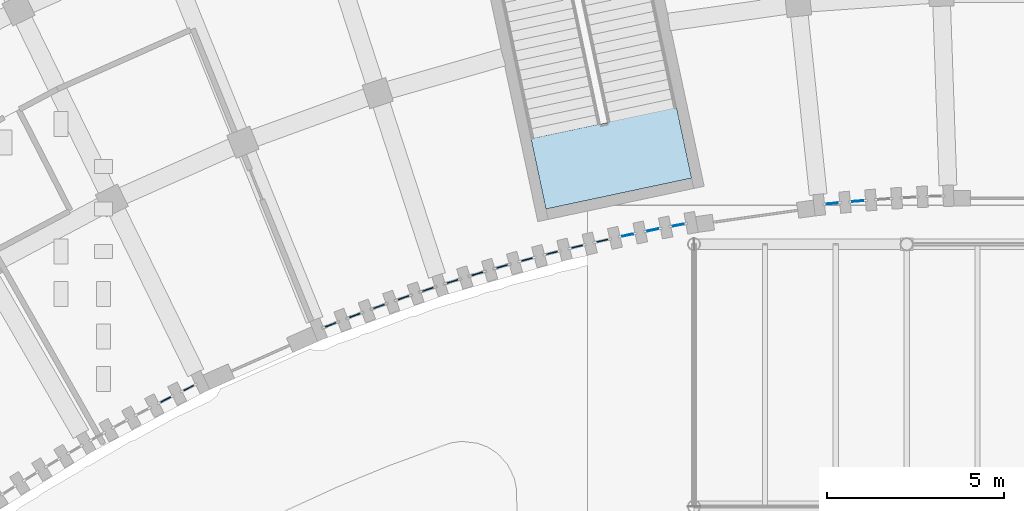
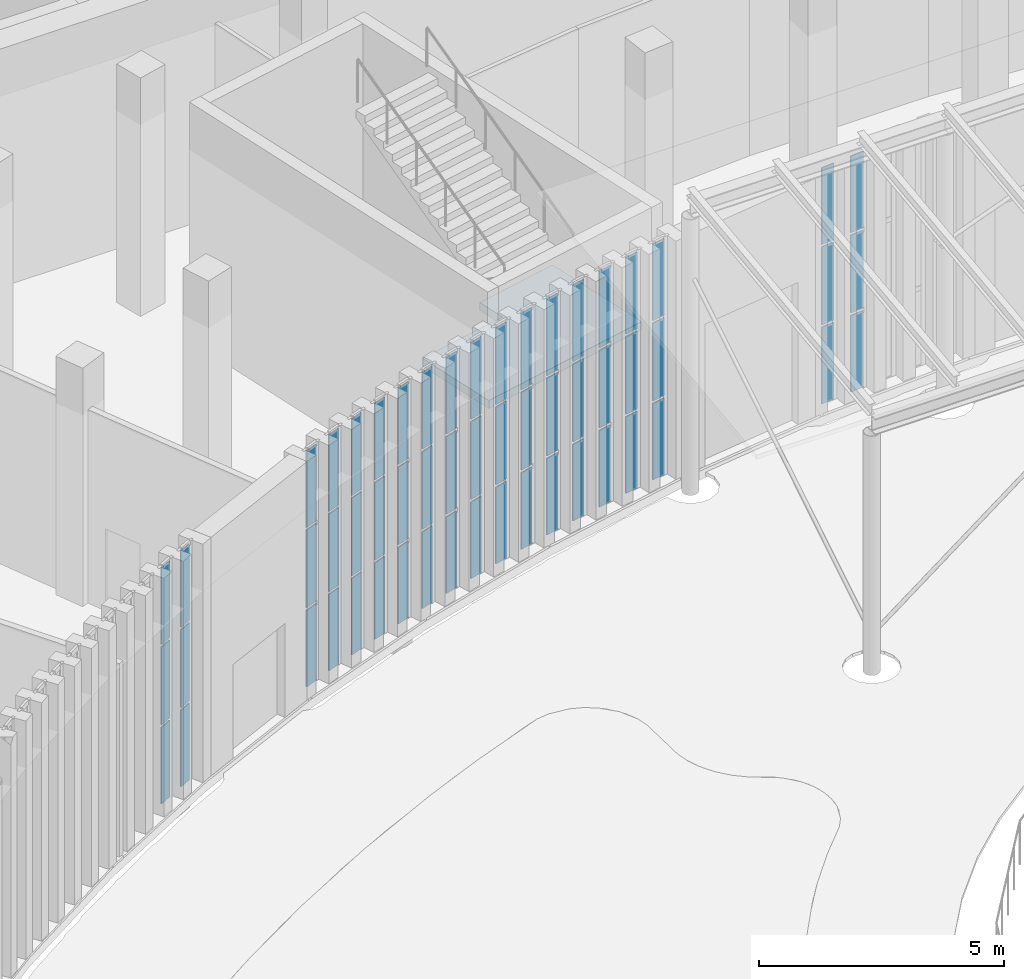
# One storey, part 76 of 155: 57 plates, 1 slab, 20 elements without a shape of their own.
"""IFC4 building model written with IfcOpenShell, lengths in metres."""

from ifc_helpers import new_model, si_unit, direction, frame, origin, origin_2d, place, context, subcontext, project, spatial, polyline, rectangle, outline, extrude, material, layer, layer_set, type_object, element, aggregate, save


model = new_model("IFC4")

# Units and contexts
model_context = context("Model", 3, precision=1e-05, world=origin(), true_north=direction((0.0, 1.0)))
body_context = subcontext(model_context, "Body", "Model", "MODEL_VIEW")
ifc_project = project(units=[si_unit("LENGTHUNIT", "METRE"), si_unit("AREAUNIT", "SQUARE_METRE"), si_unit("VOLUMEUNIT", "CUBIC_METRE"), si_unit("PLANEANGLEUNIT", "RADIAN"), si_unit("MASSUNIT", "GRAM", prefix="KILO")], contexts=[model_context])

# Site, building, storey
site_placement = place(None, origin())
site = spatial("IfcSite", under=ifc_project, at=site_placement, CompositionType="ELEMENT")
building_placement = place(site_placement, origin())
building = spatial("IfcBuilding", under=site, at=building_placement, Name="Lunette Opera House", CompositionType="ELEMENT")
storey_placement = place(building_placement, origin())
storey = spatial("IfcBuildingStorey", under=building, at=storey_placement, Name="L00", CompositionType="ELEMENT", Elevation=0.0)

# Curtain wall, plates
ifc_material_1 = material(Name="Aluminium", Category="aluminium")
ifc_layer_1 = layer(ifc_material_1, 0.1201171875)
ifc_layer_set_1 = layer_set([ifc_layer_1], Name="Aluminium")
curtain_wall_type = type_object("IfcCurtainWallType", Name="SLOT CURTAIN WALL", PredefinedType="NOTDEFINED", material=ifc_layer_set_1)
curtain_wall_1_placement = place(storey_placement, origin())
curtain_wall_1 = element("IfcCurtainWall", 1, at=curtain_wall_1_placement, inside=storey, type_object=curtain_wall_type, Name="Slot Curtain Wall CS019 L00", PredefinedType="NOTDEFINED")
ifc_material_2 = material(Name="Laminated glass", Category="glass")
ifc_layer_2 = layer(ifc_material_2, 0.028076171875)
ifc_layer_set_2 = layer_set([ifc_layer_2], Name="Laminated glass")
plate_type = type_object("IfcPlateType", Name="CURTAIN PANEL LAMINATED GLASS 28", PredefinedType="CURTAIN_PANEL", material=ifc_layer_set_2)
plate_1_placement = place(storey_placement, frame((72.093994140625, 46.51611328125, 0.06005859375), z_axis=(0.0, 0.0, 1.0), x_axis=(0.889720446935, 0.45650577905, 0.0)))
plate_1 = element("IfcPlate", 2, at=plate_1_placement, type_object=plate_type, Name="FC-X2037 panel 1.1", PredefinedType="CURTAIN_PANEL", context=body_context, shape_type="SweptSolid", body=[
    extrude(rectangle(XDim=0.309326171875, YDim=0.028076171875, at=origin_2d()), origin(), (0.0, 0.0, 1.0), 1.909912109375),
])
plate_2_placement = place(storey_placement, frame((72.093994140625, 46.51611328125, 2.030029296875), z_axis=(0.0, 0.0, 1.0), x_axis=(0.889720446935, 0.45650577905, 0.0)))
plate_2 = element("IfcPlate", 3, at=plate_2_placement, type_object=plate_type, Name="FC-X2037 panel 1.2", PredefinedType="CURTAIN_PANEL", context=body_context, shape_type="SweptSolid", body=[
    extrude(rectangle(XDim=0.309326171875, YDim=0.028076171875, at=origin_2d()), origin(), (0.0, 0.0, 1.0), 1.93994140625),
])
plate_3_placement = place(storey_placement, frame((72.093994140625, 46.51611328125, 4.0302734375), z_axis=(0.0, 0.0, 1.0), x_axis=(0.889720446935, 0.45650577905, 0.0)))
plate_3 = element("IfcPlate", 4, at=plate_3_placement, type_object=plate_type, Name="FC-X2037 panel 1.3", PredefinedType="CURTAIN_PANEL", context=body_context, shape_type="SweptSolid", body=[
    extrude(rectangle(XDim=0.309326171875, YDim=0.028076171875, at=origin_2d()), origin(), (0.0, 0.0, 1.0), 1.909912109375),
])
aggregate(curtain_wall_1, [plate_1, plate_2, plate_3])

curtain_wall_2_placement = place(storey_placement, origin())
curtain_wall_2 = element("IfcCurtainWall", 5, at=curtain_wall_2_placement, inside=storey, type_object=curtain_wall_type, Name="Slot Curtain Wall CS020 L00", PredefinedType="NOTDEFINED")
plate_4_placement = place(storey_placement, frame((72.74560546875, 46.845458984375, 0.06005859375), z_axis=(0.0, 0.0, 1.0), x_axis=(0.895818914219, 0.444419253552, 0.0)))
plate_4 = element("IfcPlate", 6, at=plate_4_placement, type_object=plate_type, Name="FC-X2039 panel 1.1", PredefinedType="CURTAIN_PANEL", context=body_context, shape_type="SweptSolid", body=[
    extrude(rectangle(XDim=0.309814453125, YDim=0.028076171875, at=origin_2d()), origin(), (0.0, 0.0, 1.0), 1.909912109375),
])
plate_5_placement = place(storey_placement, frame((72.74560546875, 46.845458984375, 2.030029296875), z_axis=(0.0, 0.0, 1.0), x_axis=(0.895818914219, 0.444419253552, 0.0)))
plate_5 = element("IfcPlate", 7, at=plate_5_placement, type_object=plate_type, Name="FC-X2039 panel 1.2", PredefinedType="CURTAIN_PANEL", context=body_context, shape_type="SweptSolid", body=[
    extrude(rectangle(XDim=0.309814453125, YDim=0.028076171875, at=origin_2d()), origin(), (0.0, 0.0, 1.0), 1.93994140625),
])
plate_6_placement = place(storey_placement, frame((72.74560546875, 46.845458984375, 4.0302734375), z_axis=(0.0, 0.0, 1.0), x_axis=(0.895818914219, 0.444419253552, 0.0)))
plate_6 = element("IfcPlate", 8, at=plate_6_placement, type_object=plate_type, Name="FC-X2039 panel 1.3", PredefinedType="CURTAIN_PANEL", context=body_context, shape_type="SweptSolid", body=[
    extrude(rectangle(XDim=0.309814453125, YDim=0.028076171875, at=origin_2d()), origin(), (0.0, 0.0, 1.0), 1.909912109375),
])
aggregate(curtain_wall_2, [plate_4, plate_5, plate_6])

curtain_wall_3_placement = place(storey_placement, origin())
curtain_wall_3 = element("IfcCurtainWall", 9, at=curtain_wall_3_placement, inside=storey, type_object=curtain_wall_type, Name="Slot Curtain Wall CS021 L00", PredefinedType="NOTDEFINED")
plate_7_placement = place(storey_placement, frame((76.7470703125, 48.626953125, 0.06005859375), z_axis=(0.0, 0.0, 1.0), x_axis=(0.93007160781, 0.367378285076, 0.0)))
plate_7 = element("IfcPlate", 10, at=plate_7_placement, type_object=plate_type, Name="FC-X2041 panel 1.1", PredefinedType="CURTAIN_PANEL", context=body_context, shape_type="SweptSolid", body=[
    extrude(rectangle(XDim=0.31005859375, YDim=0.028076171875, at=origin_2d()), origin(), (0.0, 0.0, 1.0), 1.909912109375),
])
plate_8_placement = place(storey_placement, frame((76.7470703125, 48.626953125, 2.030029296875), z_axis=(0.0, 0.0, 1.0), x_axis=(0.93007160781, 0.367378285076, 0.0)))
plate_8 = element("IfcPlate", 11, at=plate_8_placement, type_object=plate_type, Name="FC-X2041 panel 1.2", PredefinedType="CURTAIN_PANEL", context=body_context, shape_type="SweptSolid", body=[
    extrude(rectangle(XDim=0.31005859375, YDim=0.028076171875, at=origin_2d()), origin(), (0.0, 0.0, 1.0), 1.93994140625),
])
plate_9_placement = place(storey_placement, frame((76.7470703125, 48.626953125, 4.0302734375), z_axis=(0.0, 0.0, 1.0), x_axis=(0.93007160781, 0.367378285076, 0.0)))
plate_9 = element("IfcPlate", 12, at=plate_9_placement, type_object=plate_type, Name="FC-X2041 panel 1.3", PredefinedType="CURTAIN_PANEL", context=body_context, shape_type="SweptSolid", body=[
    extrude(rectangle(XDim=0.31005859375, YDim=0.028076171875, at=origin_2d()), origin(), (0.0, 0.0, 1.0), 1.909912109375),
])
aggregate(curtain_wall_3, [plate_7, plate_8, plate_9])

curtain_wall_4_placement = place(storey_placement, origin())
curtain_wall_4 = element("IfcCurtainWall", 13, at=curtain_wall_4_placement, inside=storey, type_object=curtain_wall_type, Name="Slot Curtain Wall CS022 L00", PredefinedType="NOTDEFINED")
plate_10_placement = place(storey_placement, frame((77.427978515625, 48.89111328125, 0.06005859375), z_axis=(0.0, 0.0, 1.0), x_axis=(0.935369490502, 0.353672046164, 0.0)))
plate_10 = element("IfcPlate", 14, at=plate_10_placement, type_object=plate_type, Name="FC-X2043 panel 1.1", PredefinedType="CURTAIN_PANEL", context=body_context, shape_type="SweptSolid", body=[
    extrude(rectangle(XDim=0.309814453125, YDim=0.028076171875, at=origin_2d()), origin(), (0.0, 0.0, 1.0), 1.909912109375),
])
plate_11_placement = place(storey_placement, frame((77.427978515625, 48.89111328125, 2.030029296875), z_axis=(0.0, 0.0, 1.0), x_axis=(0.935369490502, 0.353672046164, 0.0)))
plate_11 = element("IfcPlate", 15, at=plate_11_placement, type_object=plate_type, Name="FC-X2043 panel 1.2", PredefinedType="CURTAIN_PANEL", context=body_context, shape_type="SweptSolid", body=[
    extrude(rectangle(XDim=0.309814453125, YDim=0.028076171875, at=origin_2d()), origin(), (0.0, 0.0, 1.0), 1.93994140625),
])
plate_12_placement = place(storey_placement, frame((77.427978515625, 48.89111328125, 4.0302734375), z_axis=(0.0, 0.0, 1.0), x_axis=(0.935369490502, 0.353672046164, 0.0)))
plate_12 = element("IfcPlate", 16, at=plate_12_placement, type_object=plate_type, Name="FC-X2043 panel 1.3", PredefinedType="CURTAIN_PANEL", context=body_context, shape_type="SweptSolid", body=[
    extrude(rectangle(XDim=0.309814453125, YDim=0.028076171875, at=origin_2d()), origin(), (0.0, 0.0, 1.0), 1.909912109375),
])
aggregate(curtain_wall_4, [plate_10, plate_11, plate_12])

curtain_wall_5_placement = place(storey_placement, origin())
curtain_wall_5 = element("IfcCurtainWall", 17, at=curtain_wall_5_placement, inside=storey, type_object=curtain_wall_type, Name="Slot Curtain Wall CS023 L00", PredefinedType="NOTDEFINED")
plate_13_placement = place(storey_placement, frame((78.112548828125, 49.1455078125, 0.06005859375), z_axis=(0.0, 0.0, 1.0), x_axis=(0.939996554639, 0.341183934655, 0.0)))
plate_13 = element("IfcPlate", 18, at=plate_13_placement, type_object=plate_type, Name="FC-X2045 panel 1.1", PredefinedType="CURTAIN_PANEL", context=body_context, shape_type="SweptSolid", body=[
    extrude(rectangle(XDim=0.310791015625, YDim=0.028076171875, at=origin_2d()), origin(), (0.0, 0.0, 1.0), 1.909912109375),
])
plate_14_placement = place(storey_placement, frame((78.112548828125, 49.1455078125, 2.030029296875), z_axis=(0.0, 0.0, 1.0), x_axis=(0.939996554639, 0.341183934655, 0.0)))
plate_14 = element("IfcPlate", 19, at=plate_14_placement, type_object=plate_type, Name="FC-X2045 panel 1.2", PredefinedType="CURTAIN_PANEL", context=body_context, shape_type="SweptSolid", body=[
    extrude(rectangle(XDim=0.310791015625, YDim=0.028076171875, at=origin_2d()), origin(), (0.0, 0.0, 1.0), 1.93994140625),
])
plate_15_placement = place(storey_placement, frame((78.112548828125, 49.1455078125, 4.0302734375), z_axis=(0.0, 0.0, 1.0), x_axis=(0.939996554639, 0.341183934655, 0.0)))
plate_15 = element("IfcPlate", 20, at=plate_15_placement, type_object=plate_type, Name="FC-X2045 panel 1.3", PredefinedType="CURTAIN_PANEL", context=body_context, shape_type="SweptSolid", body=[
    extrude(rectangle(XDim=0.310791015625, YDim=0.028076171875, at=origin_2d()), origin(), (0.0, 0.0, 1.0), 1.909912109375),
])
aggregate(curtain_wall_5, [plate_13, plate_14, plate_15])

curtain_wall_6_placement = place(storey_placement, origin())
curtain_wall_6 = element("IfcCurtainWall", 21, at=curtain_wall_6_placement, inside=storey, type_object=curtain_wall_type, Name="Slot Curtain Wall CS024 L00", PredefinedType="NOTDEFINED")
plate_16_placement = place(storey_placement, frame((78.800537109375, 49.390380859375, 0.06005859375), z_axis=(0.0, 0.0, 1.0), x_axis=(0.944903237351, 0.327349770191, 0.0)))
plate_16 = element("IfcPlate", 22, at=plate_16_placement, type_object=plate_type, Name="FC-X2047 panel 1.1", PredefinedType="CURTAIN_PANEL", context=body_context, shape_type="SweptSolid", body=[
    extrude(rectangle(XDim=0.310791015625, YDim=0.028076171875, at=origin_2d()), origin(), (0.0, 0.0, 1.0), 1.909912109375),
])
plate_17_placement = place(storey_placement, frame((78.800537109375, 49.390380859375, 2.030029296875), z_axis=(0.0, 0.0, 1.0), x_axis=(0.944903237351, 0.327349770191, 0.0)))
plate_17 = element("IfcPlate", 23, at=plate_17_placement, type_object=plate_type, Name="FC-X2047 panel 1.2", PredefinedType="CURTAIN_PANEL", context=body_context, shape_type="SweptSolid", body=[
    extrude(rectangle(XDim=0.310791015625, YDim=0.028076171875, at=origin_2d()), origin(), (0.0, 0.0, 1.0), 1.93994140625),
])
plate_18_placement = place(storey_placement, frame((78.800537109375, 49.390380859375, 4.0302734375), z_axis=(0.0, 0.0, 1.0), x_axis=(0.944903237351, 0.327349770191, 0.0)))
plate_18 = element("IfcPlate", 24, at=plate_18_placement, type_object=plate_type, Name="FC-X2047 panel 1.3", PredefinedType="CURTAIN_PANEL", context=body_context, shape_type="SweptSolid", body=[
    extrude(rectangle(XDim=0.310791015625, YDim=0.028076171875, at=origin_2d()), origin(), (0.0, 0.0, 1.0), 1.909912109375),
])
aggregate(curtain_wall_6, [plate_16, plate_17, plate_18])

curtain_wall_7_placement = place(storey_placement, origin())
curtain_wall_7 = element("IfcCurtainWall", 25, at=curtain_wall_7_placement, inside=storey, type_object=curtain_wall_type, Name="Slot Curtain Wall CS025 L00", PredefinedType="NOTDEFINED")
plate_19_placement = place(storey_placement, frame((79.491943359375, 49.6259765625, 0.06005859375), z_axis=(0.0, 0.0, 1.0), x_axis=(0.94868329805, 0.316227766018, 0.0)))
plate_19 = element("IfcPlate", 26, at=plate_19_placement, type_object=plate_type, Name="FC-X2049 panel 1.1", PredefinedType="CURTAIN_PANEL", context=body_context, shape_type="SweptSolid", body=[
    extrude(rectangle(XDim=0.31005859375, YDim=0.028076171875, at=origin_2d()), origin(), (0.0, 0.0, 1.0), 1.909912109375),
])
plate_20_placement = place(storey_placement, frame((79.491943359375, 49.6259765625, 2.030029296875), z_axis=(0.0, 0.0, 1.0), x_axis=(0.94868329805, 0.316227766018, 0.0)))
plate_20 = element("IfcPlate", 27, at=plate_20_placement, type_object=plate_type, Name="FC-X2049 panel 1.2", PredefinedType="CURTAIN_PANEL", context=body_context, shape_type="SweptSolid", body=[
    extrude(rectangle(XDim=0.31005859375, YDim=0.028076171875, at=origin_2d()), origin(), (0.0, 0.0, 1.0), 1.93994140625),
])
plate_21_placement = place(storey_placement, frame((79.491943359375, 49.6259765625, 4.0302734375), z_axis=(0.0, 0.0, 1.0), x_axis=(0.94868329805, 0.316227766018, 0.0)))
plate_21 = element("IfcPlate", 28, at=plate_21_placement, type_object=plate_type, Name="FC-X2049 panel 1.3", PredefinedType="CURTAIN_PANEL", context=body_context, shape_type="SweptSolid", body=[
    extrude(rectangle(XDim=0.31005859375, YDim=0.028076171875, at=origin_2d()), origin(), (0.0, 0.0, 1.0), 1.909912109375),
])
aggregate(curtain_wall_7, [plate_19, plate_20, plate_21])

curtain_wall_8_placement = place(storey_placement, origin())
curtain_wall_8 = element("IfcCurtainWall", 29, at=curtain_wall_8_placement, inside=storey, type_object=curtain_wall_type, Name="Slot Curtain Wall CS026 L00", PredefinedType="NOTDEFINED")
plate_22_placement = place(storey_placement, frame((80.18603515625, 49.85107421875, 0.06005859375), z_axis=(0.0, 0.0, 1.0), x_axis=(0.9532306377, 0.302243860731, 0.0)))
plate_22 = element("IfcPlate", 30, at=plate_22_placement, type_object=plate_type, Name="FC-X2051 panel 1.1", PredefinedType="CURTAIN_PANEL", context=body_context, shape_type="SweptSolid", body=[
    extrude(rectangle(XDim=0.31005859375, YDim=0.028076171875, at=origin_2d()), origin(), (0.0, 0.0, 1.0), 1.909912109375),
])
plate_23_placement = place(storey_placement, frame((80.18603515625, 49.85107421875, 2.030029296875), z_axis=(0.0, 0.0, 1.0), x_axis=(0.9532306377, 0.302243860731, 0.0)))
plate_23 = element("IfcPlate", 31, at=plate_23_placement, type_object=plate_type, Name="FC-X2051 panel 1.2", PredefinedType="CURTAIN_PANEL", context=body_context, shape_type="SweptSolid", body=[
    extrude(rectangle(XDim=0.31005859375, YDim=0.028076171875, at=origin_2d()), origin(), (0.0, 0.0, 1.0), 1.93994140625),
])
plate_24_placement = place(storey_placement, frame((80.18603515625, 49.85107421875, 4.0302734375), z_axis=(0.0, 0.0, 1.0), x_axis=(0.9532306377, 0.302243860731, 0.0)))
plate_24 = element("IfcPlate", 32, at=plate_24_placement, type_object=plate_type, Name="FC-X2051 panel 1.3", PredefinedType="CURTAIN_PANEL", context=body_context, shape_type="SweptSolid", body=[
    extrude(rectangle(XDim=0.31005859375, YDim=0.028076171875, at=origin_2d()), origin(), (0.0, 0.0, 1.0), 1.909912109375),
])
aggregate(curtain_wall_8, [plate_22, plate_23, plate_24])

curtain_wall_9_placement = place(storey_placement, origin())
curtain_wall_9 = element("IfcCurtainWall", 33, at=curtain_wall_9_placement, inside=storey, type_object=curtain_wall_type, Name="Slot Curtain Wall CS027 L00", PredefinedType="NOTDEFINED")
plate_25_placement = place(storey_placement, frame((80.884033203125, 50.0673828125, 0.06005859375), z_axis=(0.0, 0.0, 1.0), x_axis=(0.956926678266, 0.290329696075, 0.0)))
plate_25 = element("IfcPlate", 34, at=plate_25_placement, type_object=plate_type, Name="FC-X2053 panel 1.1", PredefinedType="CURTAIN_PANEL", context=body_context, shape_type="SweptSolid", body=[
    extrude(rectangle(XDim=0.310546875, YDim=0.028076171875, at=origin_2d()), origin(), (0.0, 0.0, 1.0), 1.909912109375),
])
plate_26_placement = place(storey_placement, frame((80.884033203125, 50.0673828125, 2.030029296875), z_axis=(0.0, 0.0, 1.0), x_axis=(0.956926678266, 0.290329696075, 0.0)))
plate_26 = element("IfcPlate", 35, at=plate_26_placement, type_object=plate_type, Name="FC-X2053 panel 1.2", PredefinedType="CURTAIN_PANEL", context=body_context, shape_type="SweptSolid", body=[
    extrude(rectangle(XDim=0.310546875, YDim=0.028076171875, at=origin_2d()), origin(), (0.0, 0.0, 1.0), 1.93994140625),
])
plate_27_placement = place(storey_placement, frame((80.884033203125, 50.0673828125, 4.0302734375), z_axis=(0.0, 0.0, 1.0), x_axis=(0.956926678266, 0.290329696075, 0.0)))
plate_27 = element("IfcPlate", 36, at=plate_27_placement, type_object=plate_type, Name="FC-X2053 panel 1.3", PredefinedType="CURTAIN_PANEL", context=body_context, shape_type="SweptSolid", body=[
    extrude(rectangle(XDim=0.310546875, YDim=0.028076171875, at=origin_2d()), origin(), (0.0, 0.0, 1.0), 1.909912109375),
])
aggregate(curtain_wall_9, [plate_25, plate_26, plate_27])

curtain_wall_10_placement = place(storey_placement, origin())
curtain_wall_10 = element("IfcCurtainWall", 37, at=curtain_wall_10_placement, inside=storey, type_object=curtain_wall_type, Name="Slot Curtain Wall CS028 L00", PredefinedType="NOTDEFINED")
plate_28_placement = place(storey_placement, frame((81.583984375, 50.2734375, 0.06005859375), z_axis=(0.0, 0.0, 1.0), x_axis=(0.961084714065, 0.276253818781, 0.0)))
plate_28 = element("IfcPlate", 38, at=plate_28_placement, type_object=plate_type, Name="FC-X2055 panel 1.1", PredefinedType="CURTAIN_PANEL", context=body_context, shape_type="SweptSolid", body=[
    extrude(rectangle(XDim=0.310791015625, YDim=0.028076171875, at=origin_2d()), origin(), (0.0, 0.0, 1.0), 1.909912109375),
])
plate_29_placement = place(storey_placement, frame((81.583984375, 50.2734375, 2.030029296875), z_axis=(0.0, 0.0, 1.0), x_axis=(0.961084714065, 0.276253818781, 0.0)))
plate_29 = element("IfcPlate", 39, at=plate_29_placement, type_object=plate_type, Name="FC-X2055 panel 1.2", PredefinedType="CURTAIN_PANEL", context=body_context, shape_type="SweptSolid", body=[
    extrude(rectangle(XDim=0.310791015625, YDim=0.028076171875, at=origin_2d()), origin(), (0.0, 0.0, 1.0), 1.93994140625),
])
plate_30_placement = place(storey_placement, frame((81.583984375, 50.2734375, 4.0302734375), z_axis=(0.0, 0.0, 1.0), x_axis=(0.961084714065, 0.276253818781, 0.0)))
plate_30 = element("IfcPlate", 40, at=plate_30_placement, type_object=plate_type, Name="FC-X2055 panel 1.3", PredefinedType="CURTAIN_PANEL", context=body_context, shape_type="SweptSolid", body=[
    extrude(rectangle(XDim=0.310791015625, YDim=0.028076171875, at=origin_2d()), origin(), (0.0, 0.0, 1.0), 1.909912109375),
])
aggregate(curtain_wall_10, [plate_28, plate_29, plate_30])

curtain_wall_11_placement = place(storey_placement, origin())
curtain_wall_11 = element("IfcCurtainWall", 41, at=curtain_wall_11_placement, inside=storey, type_object=curtain_wall_type, Name="Slot Curtain Wall CS029 L00", PredefinedType="NOTDEFINED")
plate_31_placement = place(storey_placement, frame((82.28759765625, 50.469970703125, 0.06005859375), z_axis=(0.0, 0.0, 1.0), x_axis=(0.965458348983, 0.260557433934, 0.0)))
plate_31 = element("IfcPlate", 42, at=plate_31_placement, type_object=plate_type, Name="FC-X2057 panel 1.1", PredefinedType="CURTAIN_PANEL", context=body_context, shape_type="SweptSolid", body=[
    extrude(rectangle(XDim=0.309814453125, YDim=0.028076171875, at=origin_2d()), origin(), (0.0, 0.0, 1.0), 1.909912109375),
])
plate_32_placement = place(storey_placement, frame((82.28759765625, 50.469970703125, 2.030029296875), z_axis=(0.0, 0.0, 1.0), x_axis=(0.965458348983, 0.260557433934, 0.0)))
plate_32 = element("IfcPlate", 43, at=plate_32_placement, type_object=plate_type, Name="FC-X2057 panel 1.2", PredefinedType="CURTAIN_PANEL", context=body_context, shape_type="SweptSolid", body=[
    extrude(rectangle(XDim=0.309814453125, YDim=0.028076171875, at=origin_2d()), origin(), (0.0, 0.0, 1.0), 1.93994140625),
])
plate_33_placement = place(storey_placement, frame((82.28759765625, 50.469970703125, 4.0302734375), z_axis=(0.0, 0.0, 1.0), x_axis=(0.965458348983, 0.260557433934, 0.0)))
plate_33 = element("IfcPlate", 44, at=plate_33_placement, type_object=plate_type, Name="FC-X2057 panel 1.3", PredefinedType="CURTAIN_PANEL", context=body_context, shape_type="SweptSolid", body=[
    extrude(rectangle(XDim=0.309814453125, YDim=0.028076171875, at=origin_2d()), origin(), (0.0, 0.0, 1.0), 1.909912109375),
])
aggregate(curtain_wall_11, [plate_31, plate_32, plate_33])

curtain_wall_12_placement = place(storey_placement, origin())
curtain_wall_12 = element("IfcCurtainWall", 45, at=curtain_wall_12_placement, inside=storey, type_object=curtain_wall_type, Name="Slot Curtain Wall CS030 L00", PredefinedType="NOTDEFINED")
plate_34_placement = place(storey_placement, frame((82.993408203125, 50.656494140625, 0.06005859375), z_axis=(0.0, 0.0, 1.0), x_axis=(0.968620862667, 0.248543003132, 0.0)))
plate_34 = element("IfcPlate", 46, at=plate_34_placement, type_object=plate_type, Name="FC-X2059 panel 1.1", PredefinedType="CURTAIN_PANEL", context=body_context, shape_type="SweptSolid", body=[
    extrude(rectangle(XDim=0.310546875, YDim=0.028076171875, at=origin_2d()), origin(), (0.0, 0.0, 1.0), 1.909912109375),
])
plate_35_placement = place(storey_placement, frame((82.993408203125, 50.656494140625, 2.030029296875), z_axis=(0.0, 0.0, 1.0), x_axis=(0.968620862667, 0.248543003132, 0.0)))
plate_35 = element("IfcPlate", 47, at=plate_35_placement, type_object=plate_type, Name="FC-X2059 panel 1.2", PredefinedType="CURTAIN_PANEL", context=body_context, shape_type="SweptSolid", body=[
    extrude(rectangle(XDim=0.310546875, YDim=0.028076171875, at=origin_2d()), origin(), (0.0, 0.0, 1.0), 1.93994140625),
])
plate_36_placement = place(storey_placement, frame((82.993408203125, 50.656494140625, 4.0302734375), z_axis=(0.0, 0.0, 1.0), x_axis=(0.968620862667, 0.248543003132, 0.0)))
plate_36 = element("IfcPlate", 48, at=plate_36_placement, type_object=plate_type, Name="FC-X2059 panel 1.3", PredefinedType="CURTAIN_PANEL", context=body_context, shape_type="SweptSolid", body=[
    extrude(rectangle(XDim=0.310546875, YDim=0.028076171875, at=origin_2d()), origin(), (0.0, 0.0, 1.0), 1.909912109375),
])
aggregate(curtain_wall_12, [plate_34, plate_35, plate_36])

curtain_wall_13_placement = place(storey_placement, origin())
curtain_wall_13 = element("IfcCurtainWall", 49, at=curtain_wall_13_placement, inside=storey, type_object=curtain_wall_type, Name="Slot Curtain Wall CS031 L00", PredefinedType="NOTDEFINED")
plate_37_placement = place(storey_placement, frame((83.701904296875, 50.83349609375, 0.06005859375), z_axis=(0.0, 0.0, 1.0), x_axis=(0.972027312434, 0.234867843442, 0.0)))
plate_37 = element("IfcPlate", 50, at=plate_37_placement, type_object=plate_type, Name="FC-X2061 panel 1.1", PredefinedType="CURTAIN_PANEL", context=body_context, shape_type="SweptSolid", body=[
    extrude(rectangle(XDim=0.31005859375, YDim=0.028076171875, at=origin_2d()), origin(), (0.0, 0.0, 1.0), 1.909912109375),
])
plate_38_placement = place(storey_placement, frame((83.701904296875, 50.83349609375, 2.030029296875), z_axis=(0.0, 0.0, 1.0), x_axis=(0.972027312434, 0.234867843442, 0.0)))
plate_38 = element("IfcPlate", 51, at=plate_38_placement, type_object=plate_type, Name="FC-X2061 panel 1.2", PredefinedType="CURTAIN_PANEL", context=body_context, shape_type="SweptSolid", body=[
    extrude(rectangle(XDim=0.31005859375, YDim=0.028076171875, at=origin_2d()), origin(), (0.0, 0.0, 1.0), 1.93994140625),
])
plate_39_placement = place(storey_placement, frame((83.701904296875, 50.83349609375, 4.0302734375), z_axis=(0.0, 0.0, 1.0), x_axis=(0.972027312434, 0.234867843442, 0.0)))
plate_39 = element("IfcPlate", 52, at=plate_39_placement, type_object=plate_type, Name="FC-X2061 panel 1.3", PredefinedType="CURTAIN_PANEL", context=body_context, shape_type="SweptSolid", body=[
    extrude(rectangle(XDim=0.31005859375, YDim=0.028076171875, at=origin_2d()), origin(), (0.0, 0.0, 1.0), 1.909912109375),
])
aggregate(curtain_wall_13, [plate_37, plate_38, plate_39])

curtain_wall_14_placement = place(storey_placement, origin())
curtain_wall_14 = element("IfcCurtainWall", 53, at=curtain_wall_14_placement, inside=storey, type_object=curtain_wall_type, Name="Slot Curtain Wall CS032 L00", PredefinedType="NOTDEFINED")
plate_40_placement = place(storey_placement, frame((84.4130859375, 51.0, 0.06005859375), z_axis=(0.0, 0.0, 1.0), x_axis=(0.97485850657, 0.222824801509, 0.0)))
plate_40 = element("IfcPlate", 54, at=plate_40_placement, type_object=plate_type, Name="FC-X2063 panel 1.1", PredefinedType="CURTAIN_PANEL", context=body_context, shape_type="SweptSolid", body=[
    extrude(rectangle(XDim=0.310791015625, YDim=0.028076171875, at=origin_2d()), origin(), (0.0, 0.0, 1.0), 1.909912109375),
])
plate_41_placement = place(storey_placement, frame((84.4130859375, 51.0, 2.030029296875), z_axis=(0.0, 0.0, 1.0), x_axis=(0.97485850657, 0.222824801509, 0.0)))
plate_41 = element("IfcPlate", 55, at=plate_41_placement, type_object=plate_type, Name="FC-X2063 panel 1.2", PredefinedType="CURTAIN_PANEL", context=body_context, shape_type="SweptSolid", body=[
    extrude(rectangle(XDim=0.310791015625, YDim=0.028076171875, at=origin_2d()), origin(), (0.0, 0.0, 1.0), 1.93994140625),
])
plate_42_placement = place(storey_placement, frame((84.4130859375, 51.0, 4.0302734375), z_axis=(0.0, 0.0, 1.0), x_axis=(0.97485850657, 0.222824801509, 0.0)))
plate_42 = element("IfcPlate", 56, at=plate_42_placement, type_object=plate_type, Name="FC-X2063 panel 1.3", PredefinedType="CURTAIN_PANEL", context=body_context, shape_type="SweptSolid", body=[
    extrude(rectangle(XDim=0.310791015625, YDim=0.028076171875, at=origin_2d()), origin(), (0.0, 0.0, 1.0), 1.909912109375),
])
aggregate(curtain_wall_14, [plate_40, plate_41, plate_42])

curtain_wall_15_placement = place(storey_placement, origin())
curtain_wall_15 = element("IfcCurtainWall", 57, at=curtain_wall_15_placement, inside=storey, type_object=curtain_wall_type, Name="Slot Curtain Wall CS033 L00", PredefinedType="NOTDEFINED")
plate_43_placement = place(storey_placement, frame((85.12646484375, 51.156494140625, 0.06005859375), z_axis=(0.0, 0.0, 1.0), x_axis=(0.978376841558, 0.206830258672, 0.0)))
plate_43 = element("IfcPlate", 58, at=plate_43_placement, type_object=plate_type, Name="FC-X2065 panel 1.1", PredefinedType="CURTAIN_PANEL", context=body_context, shape_type="SweptSolid", body=[
    extrude(rectangle(XDim=0.310302734375, YDim=0.028076171875, at=origin_2d()), origin(), (0.0, 0.0, 1.0), 1.909912109375),
])
plate_44_placement = place(storey_placement, frame((85.12646484375, 51.156494140625, 2.030029296875), z_axis=(0.0, 0.0, 1.0), x_axis=(0.978376841558, 0.206830258672, 0.0)))
plate_44 = element("IfcPlate", 59, at=plate_44_placement, type_object=plate_type, Name="FC-X2065 panel 1.2", PredefinedType="CURTAIN_PANEL", context=body_context, shape_type="SweptSolid", body=[
    extrude(rectangle(XDim=0.310302734375, YDim=0.028076171875, at=origin_2d()), origin(), (0.0, 0.0, 1.0), 1.93994140625),
])
plate_45_placement = place(storey_placement, frame((85.12646484375, 51.156494140625, 4.0302734375), z_axis=(0.0, 0.0, 1.0), x_axis=(0.978376841558, 0.206830258672, 0.0)))
plate_45 = element("IfcPlate", 60, at=plate_45_placement, type_object=plate_type, Name="FC-X2065 panel 1.3", PredefinedType="CURTAIN_PANEL", context=body_context, shape_type="SweptSolid", body=[
    extrude(rectangle(XDim=0.310302734375, YDim=0.028076171875, at=origin_2d()), origin(), (0.0, 0.0, 1.0), 1.909912109375),
])
aggregate(curtain_wall_15, [plate_43, plate_44, plate_45])

curtain_wall_16_placement = place(storey_placement, origin())
curtain_wall_16 = element("IfcCurtainWall", 61, at=curtain_wall_16_placement, inside=storey, type_object=curtain_wall_type, Name="Slot Curtain Wall CS034 L00", PredefinedType="NOTDEFINED")
plate_46_placement = place(storey_placement, frame((85.842041015625, 51.303466796875, 0.06005859375), z_axis=(0.0, 0.0, 1.0), x_axis=(0.981201674814, 0.192985163529, 0.0)))
plate_46 = element("IfcPlate", 62, at=plate_46_placement, type_object=plate_type, Name="FC-X2067 panel 1.1", PredefinedType="CURTAIN_PANEL", context=body_context, shape_type="SweptSolid", body=[
    extrude(rectangle(XDim=0.31005859375, YDim=0.028076171875, at=origin_2d()), origin(), (0.0, 0.0, 1.0), 1.909912109375),
])
plate_47_placement = place(storey_placement, frame((85.842041015625, 51.303466796875, 2.030029296875), z_axis=(0.0, 0.0, 1.0), x_axis=(0.981201674814, 0.192985163529, 0.0)))
plate_47 = element("IfcPlate", 63, at=plate_47_placement, type_object=plate_type, Name="FC-X2067 panel 1.2", PredefinedType="CURTAIN_PANEL", context=body_context, shape_type="SweptSolid", body=[
    extrude(rectangle(XDim=0.31005859375, YDim=0.028076171875, at=origin_2d()), origin(), (0.0, 0.0, 1.0), 1.93994140625),
])
plate_48_placement = place(storey_placement, frame((85.842041015625, 51.303466796875, 4.0302734375), z_axis=(0.0, 0.0, 1.0), x_axis=(0.981201674814, 0.192985163529, 0.0)))
plate_48 = element("IfcPlate", 64, at=plate_48_placement, type_object=plate_type, Name="FC-X2067 panel 1.3", PredefinedType="CURTAIN_PANEL", context=body_context, shape_type="SweptSolid", body=[
    extrude(rectangle(XDim=0.31005859375, YDim=0.028076171875, at=origin_2d()), origin(), (0.0, 0.0, 1.0), 1.909912109375),
])
aggregate(curtain_wall_16, [plate_46, plate_47, plate_48])

curtain_wall_17_placement = place(storey_placement, origin())
curtain_wall_17 = element("IfcCurtainWall", 65, at=curtain_wall_17_placement, inside=storey, type_object=curtain_wall_type, Name="Slot Curtain Wall CS035 L00", PredefinedType="NOTDEFINED")
plate_49_placement = place(storey_placement, frame((86.55908203125, 51.4404296875, 0.06005859375), z_axis=(0.0, 0.0, 1.0), x_axis=(0.983907017475, 0.178681227225, 0.0)))
plate_49 = element("IfcPlate", 66, at=plate_49_placement, type_object=plate_type, Name="FC-X2069 panel 1.1", PredefinedType="CURTAIN_PANEL", context=body_context, shape_type="SweptSolid", body=[
    extrude(rectangle(XDim=0.31103515625, YDim=0.028076171875, at=origin_2d()), origin(), (0.0, 0.0, 1.0), 1.909912109375),
])
plate_50_placement = place(storey_placement, frame((86.55908203125, 51.4404296875, 2.030029296875), z_axis=(0.0, 0.0, 1.0), x_axis=(0.983907017475, 0.178681227225, 0.0)))
plate_50 = element("IfcPlate", 67, at=plate_50_placement, type_object=plate_type, Name="FC-X2069 panel 1.2", PredefinedType="CURTAIN_PANEL", context=body_context, shape_type="SweptSolid", body=[
    extrude(rectangle(XDim=0.31103515625, YDim=0.028076171875, at=origin_2d()), origin(), (0.0, 0.0, 1.0), 1.93994140625),
])
plate_51_placement = place(storey_placement, frame((86.55908203125, 51.4404296875, 4.0302734375), z_axis=(0.0, 0.0, 1.0), x_axis=(0.983907017475, 0.178681227225, 0.0)))
plate_51 = element("IfcPlate", 68, at=plate_51_placement, type_object=plate_type, Name="FC-X2069 panel 1.3", PredefinedType="CURTAIN_PANEL", context=body_context, shape_type="SweptSolid", body=[
    extrude(rectangle(XDim=0.31103515625, YDim=0.028076171875, at=origin_2d()), origin(), (0.0, 0.0, 1.0), 1.909912109375),
])
aggregate(curtain_wall_17, [plate_49, plate_50, plate_51])

curtain_wall_18_placement = place(storey_placement, origin())
curtain_wall_18 = element("IfcCurtainWall", 69, at=curtain_wall_18_placement, inside=storey, type_object=curtain_wall_type, Name="Slot Curtain Wall CS036 L00", PredefinedType="NOTDEFINED")
plate_52_placement = place(storey_placement, frame((90.896484375, 52.050048828125, 0.06005859375), z_axis=(0.0, 0.0, 1.0), x_axis=(0.995241767526, 0.097436256965, 0.0)))
plate_52 = element("IfcPlate", 70, at=plate_52_placement, type_object=plate_type, Name="FC-X2071 panel 1.1", PredefinedType="CURTAIN_PANEL", context=body_context, shape_type="SweptSolid", body=[
    extrude(rectangle(XDim=0.31103515625, YDim=0.028076171875, at=origin_2d()), origin(), (0.0, 0.0, 1.0), 1.909912109375),
])
plate_53_placement = place(storey_placement, frame((90.896484375, 52.050048828125, 2.030029296875), z_axis=(0.0, 0.0, 1.0), x_axis=(0.995241767526, 0.097436256965, 0.0)))
plate_53 = element("IfcPlate", 71, at=plate_53_placement, type_object=plate_type, Name="FC-X2071 panel 1.2", PredefinedType="CURTAIN_PANEL", context=body_context, shape_type="SweptSolid", body=[
    extrude(rectangle(XDim=0.31103515625, YDim=0.028076171875, at=origin_2d()), origin(), (0.0, 0.0, 1.0), 1.93994140625),
])
plate_54_placement = place(storey_placement, frame((90.896484375, 52.050048828125, 4.0302734375), z_axis=(0.0, 0.0, 1.0), x_axis=(0.995241767526, 0.097436256965, 0.0)))
plate_54 = element("IfcPlate", 72, at=plate_54_placement, type_object=plate_type, Name="FC-X2071 panel 1.3", PredefinedType="CURTAIN_PANEL", context=body_context, shape_type="SweptSolid", body=[
    extrude(rectangle(XDim=0.31103515625, YDim=0.028076171875, at=origin_2d()), origin(), (0.0, 0.0, 1.0), 1.909912109375),
])
aggregate(curtain_wall_18, [plate_52, plate_53, plate_54])

curtain_wall_19_placement = place(storey_placement, origin())
curtain_wall_19 = element("IfcCurtainWall", 73, at=curtain_wall_19_placement, inside=storey, type_object=curtain_wall_type, Name="Slot Curtain Wall CS037 L00", PredefinedType="NOTDEFINED")
plate_55_placement = place(storey_placement, frame((91.62353515625, 52.115966796875, 0.06005859375), z_axis=(0.0, 0.0, 1.0), x_axis=(0.996497532655, 0.083622170575, 0.0)))
plate_55 = element("IfcPlate", 74, at=plate_55_placement, type_object=plate_type, Name="FC-X2073 panel 1.1", PredefinedType="CURTAIN_PANEL", context=body_context, shape_type="SweptSolid", body=[
    extrude(rectangle(XDim=0.310546875, YDim=0.028076171875, at=origin_2d()), origin(), (0.0, 0.0, 1.0), 1.909912109375),
])
plate_56_placement = place(storey_placement, frame((91.62353515625, 52.115966796875, 2.030029296875), z_axis=(0.0, 0.0, 1.0), x_axis=(0.996497532655, 0.083622170575, 0.0)))
plate_56 = element("IfcPlate", 75, at=plate_56_placement, type_object=plate_type, Name="FC-X2073 panel 1.2", PredefinedType="CURTAIN_PANEL", context=body_context, shape_type="SweptSolid", body=[
    extrude(rectangle(XDim=0.310546875, YDim=0.028076171875, at=origin_2d()), origin(), (0.0, 0.0, 1.0), 1.93994140625),
])
plate_57_placement = place(storey_placement, frame((91.62353515625, 52.115966796875, 4.0302734375), z_axis=(0.0, 0.0, 1.0), x_axis=(0.996497532655, 0.083622170575, 0.0)))
plate_57 = element("IfcPlate", 76, at=plate_57_placement, type_object=plate_type, Name="FC-X2073 panel 1.3", PredefinedType="CURTAIN_PANEL", context=body_context, shape_type="SweptSolid", body=[
    extrude(rectangle(XDim=0.310546875, YDim=0.028076171875, at=origin_2d()), origin(), (0.0, 0.0, 1.0), 1.909912109375),
])
aggregate(curtain_wall_19, [plate_55, plate_56, plate_57])

# Stair, slab
ifc_material_3 = material(Name="Concrete C35/45", Category="concrete")
stair_type = type_object("IfcStairType", Name="DOGLEG STAIR 2000", PredefinedType="HALF_TURN_STAIR", material=ifc_material_3)
stair_placement = place(storey_placement, origin())
stair = element("IfcStair", 77, at=stair_placement, inside=storey, type_object=stair_type, Name="L00 stair GS1", PredefinedType="HALF_TURN_STAIR")
ifc_material_4 = material(Name="Concrete C35/45", Category="concrete")
ifc_layer_3 = layer(ifc_material_4, 0.199951171875)
ifc_layer_set_3 = layer_set([ifc_layer_3], Name="Concrete C35/45")
slab_type = type_object("IfcSlabType", Name="STAIR LANDING SLAB 200", PredefinedType="LANDING", material=ifc_layer_set_3)
slab_placement = place(storey_placement, frame((0.0, 0.0, 2.800048828125)))
slab = element("IfcSlab", 78, at=slab_placement, type_object=slab_type, Name="GS1 landing 1", PredefinedType="LANDING", context=body_context, shape_type="SweptSolid", body=[
    extrude(outline(polyline([(82.822998046875, 51.89404296875), (82.40087890625, 53.8798828125), (84.35693359375, 54.2958984375), (84.35888671875, 54.285888671875), (84.554931640625, 54.327880859375), (84.408935546875, 55.012939453125), (86.365966796875, 55.427978515625), (86.930908203125, 52.76708984375), (82.822998046875, 51.89404296875)])), origin(), (0.0, 0.0, 1.0), 0.199951171875),
])
aggregate(stair, [slab])

save(model, "model.ifc")
